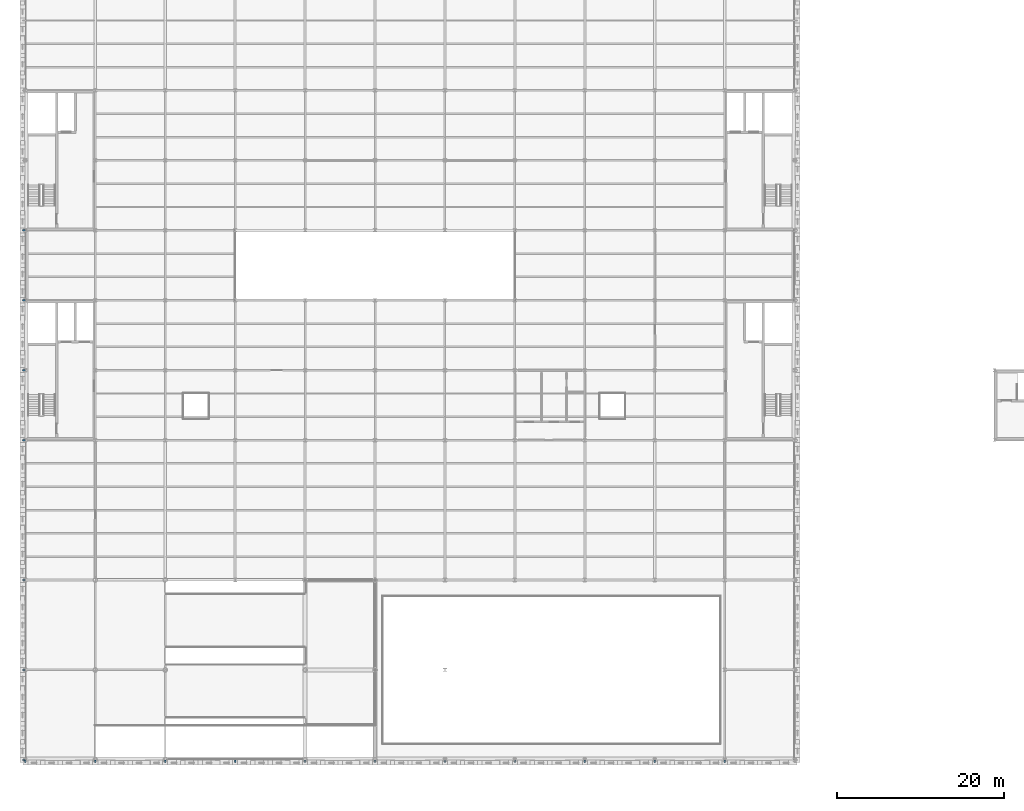
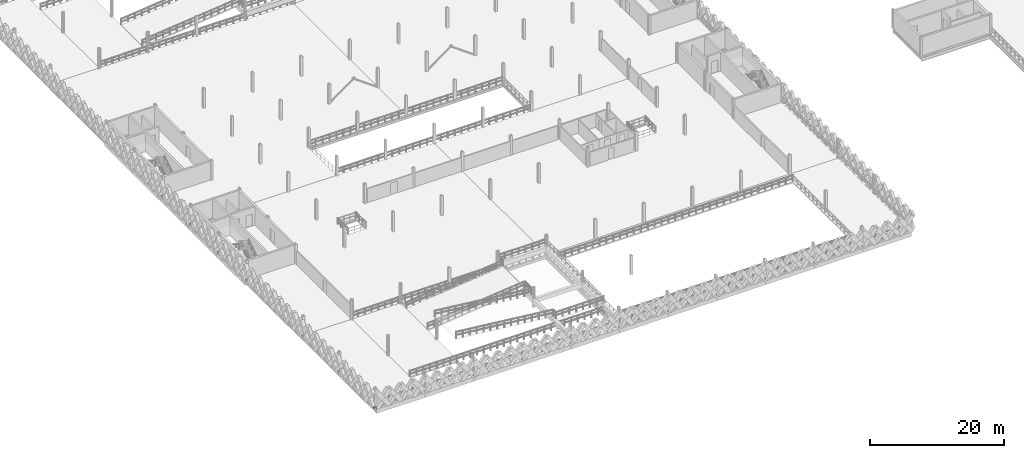
# One storey, part 44 of 74: 18 members.
"""IFC4 building model written with IfcOpenShell, lengths in metres."""

from ifc_helpers import new_model, si_unit, direction, frame, origin, origin_2d, place, context, subcontext, project, spatial, hollow_rectangle, extrude, material, material_profile, profile_set, type_object, element, save


model = new_model("IFC4")

# Units and contexts
model_context = context("Model", 3, precision=1e-05, world=origin(), true_north=direction((0.0, 1.0)))
body_context = subcontext(model_context, "Body", "Model", "MODEL_VIEW")
ifc_project = project(units=[si_unit("LENGTHUNIT", "METRE"), si_unit("AREAUNIT", "SQUARE_METRE"), si_unit("VOLUMEUNIT", "CUBIC_METRE"), si_unit("PLANEANGLEUNIT", "RADIAN"), si_unit("MASSUNIT", "GRAM", prefix="KILO"), si_unit("THERMODYNAMICTEMPERATUREUNIT", "KELVIN"), si_unit("POWERUNIT", "WATT")], contexts=[model_context])

# Site, building, storey
site_placement = place(None, origin())
site = spatial("IfcSite", under=ifc_project, at=site_placement, CompositionType="ELEMENT")
building_placement = place(site_placement, origin())
building = spatial("IfcBuilding", under=site, at=building_placement, Name="Tembeka Court Mobility Hub", CompositionType="ELEMENT")
storey_placement = place(building_placement, frame((0.0, 0.0, 12.60009765625)))
storey = spatial("IfcBuildingStorey", under=building, at=storey_placement, Name="L03", CompositionType="ELEMENT", Elevation=12.60009765625)

# Members
ifc_material = material(Name="Steel S355", Category="steel")
ifc_material_profile = material_profile(ifc_material, hollow_rectangle(XDim=0.14990234375, YDim=0.300048828125, WallThickness=0.010009765625, at=origin_2d()), Name="RHS 300x150x10")
ifc_profile_set = profile_set([ifc_material_profile], Name="Steel S355")
member_type = type_object("IfcMemberType", Name="MEM-ST03", PredefinedType="STRUT", material=ifc_profile_set)
for number, where, z_axis, x_axis, name in (
    (1, (0.0, 0.0, 0.02001953125), (0.0, -1.0, 0.0), (1.0, 0.0, 0.0), "Lattice outrigger tie SR03 (L03-Y-0)"),
    (2, (8.39990234375, 0.0, 0.02001953125), (0.0, -1.0, 0.0), (1.0, 0.0, 0.0), "Lattice outrigger tie SR03 (L03-Y-8)"),
    (3, (16.800048828125, 0.0, 0.02001953125), (0.0, -1.0, 0.0), (1.0, 0.0, 0.0), "Lattice outrigger tie SR03 (L03-Y-16)"),
    (4, (25.199951171875, 0.0, 0.02001953125), (0.0, -1.0, 0.0), (1.0, 0.0, 0.0), "Lattice outrigger tie SR03 (L03-Y-25)"),
    (5, (33.60009765625, 0.0, 0.02001953125), (0.0, -1.0, 0.0), (1.0, 0.0, 0.0), "Lattice outrigger tie SR03 (L03-Y-33)"),
    (6, (42.0, 0.0, 0.02001953125), (0.0, -1.0, 0.0), (1.0, 0.0, 0.0), "Lattice outrigger tie SR03 (L03-Y-42)"),
    (7, (50.39990234375, 0.0, 0.02001953125), (0.0, -1.0, 0.0), (1.0, 0.0, 0.0), "Lattice outrigger tie SR03 (L03-Y-50)"),
    (8, (58.800048828125, 0.0, 0.02001953125), (0.0, -1.0, 0.0), (1.0, 0.0, 0.0), "Lattice outrigger tie SR03 (L03-Y-58)"),
    (9, (67.199951171875, 0.0, 0.02001953125), (0.0, -1.0, 0.0), (1.0, 0.0, 0.0), "Lattice outrigger tie SR03 (L03-Y-67)"),
    (10, (75.60009765625, 0.0, 0.02001953125), (0.0, -1.0, 0.0), (1.0, 0.0, 0.0), "Lattice outrigger tie SR03 (L03-Y-75)"),
    (11, (84.0, 0.0, 0.02001953125), (0.0, -1.0, 0.0), (1.0, 0.0, 0.0), "Lattice outrigger tie SR03 (L03-Y-84)"),
    (12, (0.0, 0.0, 0.02001953125), (-1.0, 0.0, 0.0), (0.0, -1.0, 0.0), "Lattice outrigger tie SR03 (L03-X-0)"),
    (13, (0.0, 10.800048828125, 0.02001953125), (-1.0, 0.0, 0.0), (0.0, -1.0, 0.0), "Lattice outrigger tie SR03 (L03-X-10)"),
    (14, (0.0, 21.60009765625, 0.02001953125), (-1.0, 0.0, 0.0), (0.0, -1.0, 0.0), "Lattice outrigger tie SR03 (L03-X-21)"),
    (15, (0.0, 38.39990234375, 0.02001953125), (-1.0, 0.0, 0.0), (0.0, -1.0, 0.0), "Lattice outrigger tie SR03 (L03-X-38)"),
    (16, (0.0, 46.800048828125, 0.02001953125), (-1.0, 0.0, 0.0), (0.0, -1.0, 0.0), "Lattice outrigger tie SR03 (L03-X-46)"),
    (17, (0.0, 55.199951171875, 0.02001953125), (-1.0, 0.0, 0.0), (0.0, -1.0, 0.0), "Lattice outrigger tie SR03 (L03-X-55)"),
    (18, (0.0, 63.60009765625, 0.02001953125), (-1.0, 0.0, 0.0), (0.0, -1.0, 0.0), "Lattice outrigger tie SR03 (L03-X-63)"),
):
    element("IfcMember", number, at=place(storey_placement, frame(where, z_axis=z_axis, x_axis=x_axis)), inside=storey, type_object=member_type, Name=name, PredefinedType="STRUT", context=body_context, shape_type="SweptSolid", body=[
        extrude(hollow_rectangle(XDim=0.14990234375, YDim=0.300048828125, WallThickness=0.010009765625, at=origin_2d()), origin(), (0.0, 0.0, 1.0), 0.340087890625),
    ])

save(model, "model.ifc")
